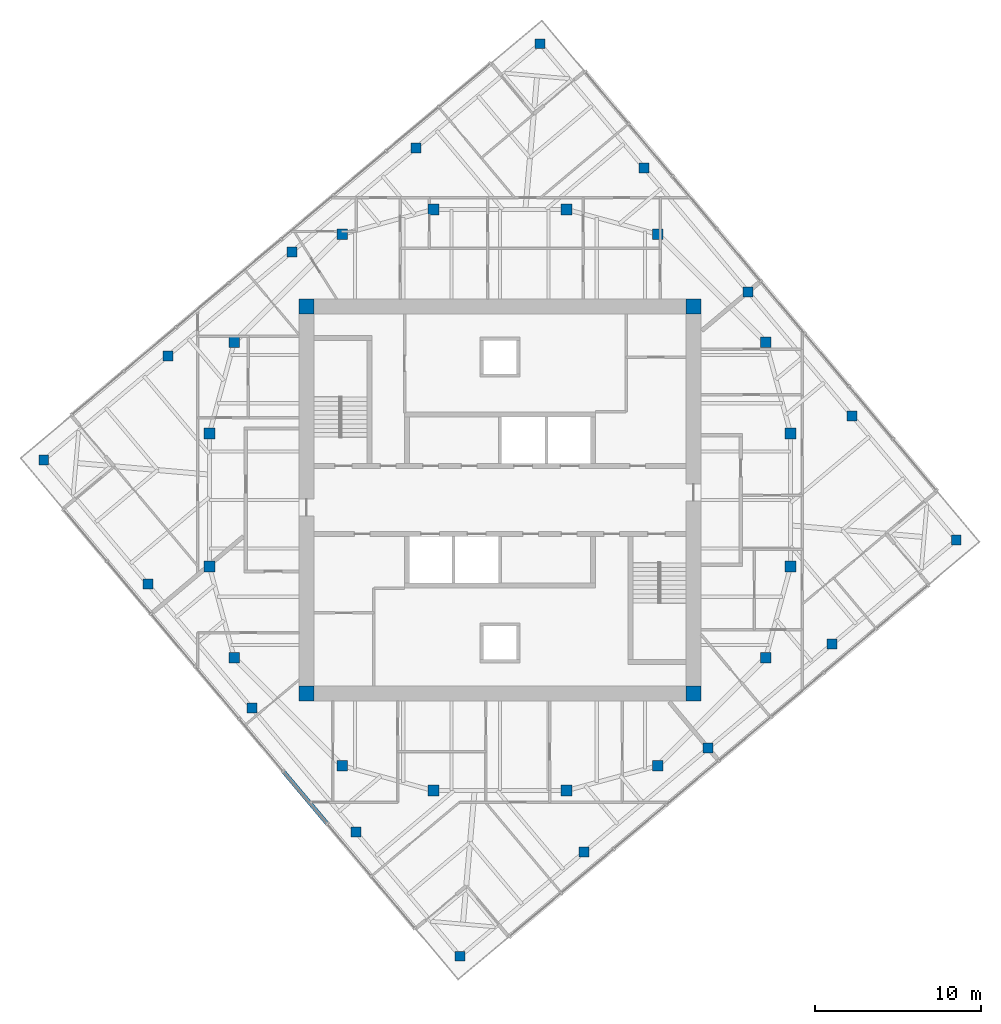
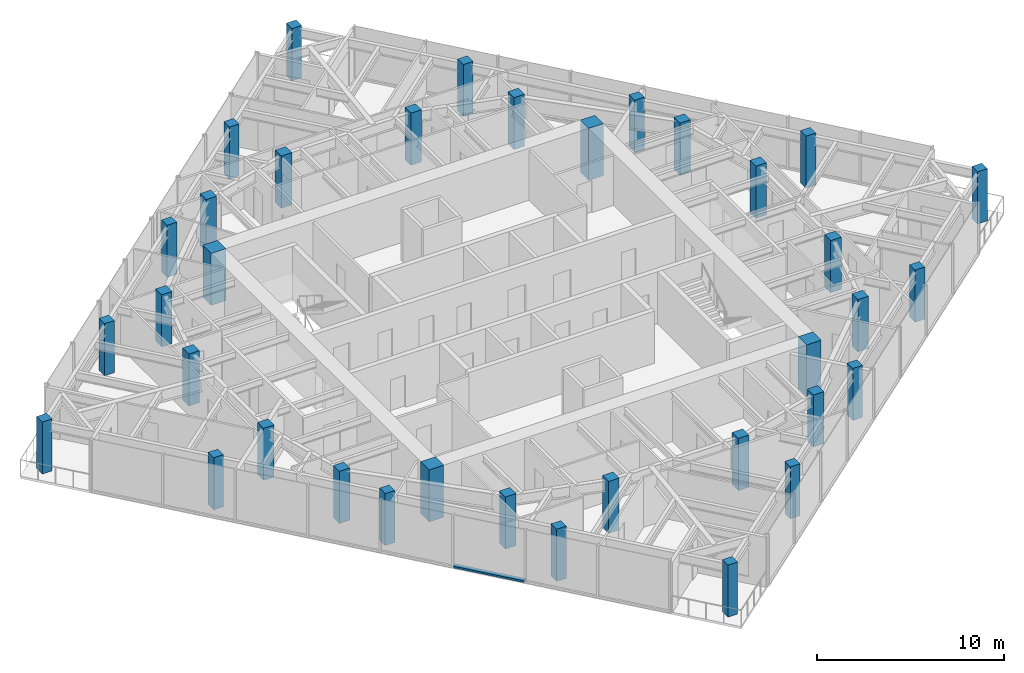
# One storey, part 1 of 12: 36 columns, 1 member, 1 element without a shape of its own.
"""IFC4 building model written with IfcOpenShell, lengths in metres."""

from ifc_helpers import new_model, si_unit, direction, frame, origin, origin_2d, place, context, subcontext, project, spatial, rectangle, extrude, material, material_profile, profile_set, type_object, element, aggregate, save


model = new_model("IFC4")

# Units and contexts
model_context = context("Model", 3, precision=1e-05, world=origin(), true_north=direction((0.0, 1.0)))
body_context = subcontext(model_context, "Body", "Model", "MODEL_VIEW")
ifc_project = project(units=[si_unit("LENGTHUNIT", "METRE"), si_unit("AREAUNIT", "SQUARE_METRE"), si_unit("VOLUMEUNIT", "CUBIC_METRE"), si_unit("PLANEANGLEUNIT", "RADIAN"), si_unit("MASSUNIT", "GRAM", prefix="KILO")], contexts=[model_context])

# Site, building, storey
site_placement = place(None, origin())
site = spatial("IfcSite", under=ifc_project, at=site_placement, CompositionType="ELEMENT")
building_placement = place(site_placement, origin())
building = spatial("IfcBuilding", under=site, at=building_placement, Name="Torsade Residences", CompositionType="ELEMENT")
storey_placement = place(building_placement, frame((0.0, 0.0, 293.0)))
storey = spatial("IfcBuildingStorey", under=building, at=storey_placement, Name="L81", CompositionType="ELEMENT", Elevation=293.0)

# Columns
ifc_material_1 = material(Name="Concrete 80 MPa", Category="concrete")
ifc_material_profile_1 = material_profile(ifc_material_1, rectangle(XDim=0.89990234375, YDim=0.89990234375, at=origin_2d()), Name="RC 900x900")
ifc_profile_set_1 = profile_set([ifc_material_profile_1], Name="Concrete 80 MPa")
column_type_1 = type_object("IfcColumnType", Name="CORE CORNER COLUMN RC 900x900", PredefinedType="COLUMN", material=ifc_profile_set_1)
for number, where, z_axis, x_axis, name in (
    (1, (28.35009765625, 18.35009765625, 0.0), (0.0, 0.0, 1.0), (1.0, 0.0, 0.0), "Core corner column CC1 L81"),
    (2, (51.64990234375, 18.35009765625, 0.0), (0.0, 0.0, 1.0), (1.0, 0.0, 0.0), "Core corner column CC2 L81"),
    (3, (51.64990234375, 41.64990234375, 0.0), (0.0, 0.0, 1.0), (1.0, 0.0, 0.0), "Core corner column CC3 L81"),
    (4, (28.35009765625, 41.64990234375, 0.0), (0.0, 0.0, 1.0), (1.0, 0.0, 0.0), "Core corner column CC4 L81"),
):
    element("IfcColumn", number, at=place(storey_placement, frame(where, z_axis=z_axis, x_axis=x_axis)), inside=storey, type_object=column_type_1, Name=name, PredefinedType="COLUMN", context=body_context, shape_type="SweptSolid", body=[
        extrude(rectangle(XDim=0.89990234375, YDim=0.89990234375, at=origin_2d()), origin(), (0.0, 0.0, 1.0), 3.39990234375),
    ])
ifc_material_2 = material(Name="Concrete 80 MPa", Category="concrete")
ifc_material_profile_2 = material_profile(ifc_material_2, rectangle(XDim=0.64990234375, YDim=0.64990234375, at=origin_2d()), Name="RC 650x650")
ifc_profile_set_2 = profile_set([ifc_material_profile_2], Name="Concrete 80 MPa")
column_type_2 = type_object("IfcColumnType", Name="INNER RING COLUMN RC 650x650", PredefinedType="COLUMN", material=ifc_profile_set_2)
for number, where, z_axis, x_axis, name in (
    (5, (57.5, 26.0, 0.0), (0.0, 0.0, 1.0), (1.0, 0.0, 0.0), "Inner ring column IR01 L81"),
    (6, (57.5, 34.0, 0.0), (0.0, 0.0, 1.0), (1.0, 0.0, 0.0), "Inner ring column IR02 L81"),
    (7, (56.0, 39.5, 0.0), (0.0, 0.0, 1.0), (1.0, 0.0, 0.0), "Inner ring column IR03 L81"),
    (8, (49.5, 46.0, 0.0), (0.0, 0.0, 1.0), (1.0, 0.0, 0.0), "Inner ring column IR04 L81"),
    (9, (44.0, 47.5, 0.0), (0.0, 0.0, 1.0), (1.0, 0.0, 0.0), "Inner ring column IR05 L81"),
    (10, (36.0, 47.5, 0.0), (0.0, 0.0, 1.0), (1.0, 0.0, 0.0), "Inner ring column IR06 L81"),
    (11, (30.5, 46.0, 0.0), (0.0, 0.0, 1.0), (1.0, 0.0, 0.0), "Inner ring column IR07 L81"),
    (12, (24.0, 39.5, 0.0), (0.0, 0.0, 1.0), (1.0, 0.0, 0.0), "Inner ring column IR08 L81"),
    (13, (22.5, 34.0, 0.0), (0.0, 0.0, 1.0), (1.0, 0.0, 0.0), "Inner ring column IR09 L81"),
    (14, (22.5, 26.0, 0.0), (0.0, 0.0, 1.0), (1.0, 0.0, 0.0), "Inner ring column IR10 L81"),
    (15, (24.0, 20.5, 0.0), (0.0, 0.0, 1.0), (1.0, 0.0, 0.0), "Inner ring column IR11 L81"),
    (16, (30.5, 14.0, 0.0), (0.0, 0.0, 1.0), (1.0, 0.0, 0.0), "Inner ring column IR12 L81"),
    (17, (36.0, 12.5, 0.0), (0.0, 0.0, 1.0), (1.0, 0.0, 0.0), "Inner ring column IR13 L81"),
    (18, (44.0, 12.5, 0.0), (0.0, 0.0, 1.0), (1.0, 0.0, 0.0), "Inner ring column IR14 L81"),
    (19, (49.5, 14.0, 0.0), (0.0, 0.0, 1.0), (1.0, 0.0, 0.0), "Inner ring column IR15 L81"),
    (20, (56.0, 20.5, 0.0), (0.0, 0.0, 1.0), (1.0, 0.0, 0.0), "Inner ring column IR16 L81"),
):
    element("IfcColumn", number, at=place(storey_placement, frame(where, z_axis=z_axis, x_axis=x_axis)), inside=storey, type_object=column_type_2, Name=name, PredefinedType="COLUMN", context=body_context, shape_type="SweptSolid", body=[
        extrude(rectangle(XDim=0.64990234375, YDim=0.64990234375, at=origin_2d()), origin(), (0.0, 0.0, 1.0), 3.39990234375),
    ])
ifc_material_3 = material(Name="Concrete 80 MPa", Category="concrete")
ifc_material_profile_3 = material_profile(ifc_material_3, rectangle(XDim=0.60009765625, YDim=0.60009765625, at=origin_2d()), Name="RC 600x600")
ifc_profile_set_3 = profile_set([ifc_material_profile_3], Name="Concrete 80 MPa")
column_type_3 = type_object("IfcColumnType", Name="TOWER COLUMN RC 600x600", PredefinedType="COLUMN", material=ifc_profile_set_3)
for number, where, z_axis, x_axis, name in (
    (21, (37.596435546875, 2.52783203125, 0.0), (0.0, 0.0, 1.0), (1.0, 0.0, 0.0), "Column TC9-01 L81"),
    (22, (45.0654296875, 8.794921875, 0.0), (0.0, 0.0, 1.0), (1.0, 0.0, 0.0), "Column TC9-02 L81"),
    (23, (52.534423828125, 15.06201171875, 0.0), (0.0, 0.0, 1.0), (1.0, 0.0, 0.0), "Column TC9-03 L81"),
    (24, (60.003173828125, 21.329345703125, 0.0), (0.0, 0.0, 1.0), (1.0, 0.0, 0.0), "Column TC9-04 L81"),
    (25, (67.47216796875, 27.596435546875, 0.0), (0.0, 0.0, 1.0), (1.0, 0.0, 0.0), "Column TC9-05 L81"),
    (26, (61.205078125, 35.0654296875, 0.0), (0.0, 0.0, 1.0), (1.0, 0.0, 0.0), "Column TC9-06 L81"),
    (27, (54.93798828125, 42.534423828125, 0.0), (0.0, 0.0, 1.0), (1.0, 0.0, 0.0), "Column TC9-07 L81"),
    (28, (48.670654296875, 50.003173828125, 0.0), (0.0, 0.0, 1.0), (1.0, 0.0, 0.0), "Column TC9-08 L81"),
    (29, (42.403564453125, 57.47216796875, 0.0), (0.0, 0.0, 1.0), (1.0, 0.0, 0.0), "Column TC9-09 L81"),
    (30, (34.9345703125, 51.205078125, 0.0), (0.0, 0.0, 1.0), (1.0, 0.0, 0.0), "Column TC9-10 L81"),
    (31, (27.465576171875, 44.93798828125, 0.0), (0.0, 0.0, 1.0), (1.0, 0.0, 0.0), "Column TC9-11 L81"),
    (32, (19.996826171875, 38.670654296875, 0.0), (0.0, 0.0, 1.0), (1.0, 0.0, 0.0), "Column TC9-12 L81"),
    (33, (12.52783203125, 32.403564453125, 0.0), (0.0, 0.0, 1.0), (1.0, 0.0, 0.0), "Column TC9-13 L81"),
    (34, (18.794921875, 24.9345703125, 0.0), (0.0, 0.0, 1.0), (1.0, 0.0, 0.0), "Column TC9-14 L81"),
    (35, (25.06201171875, 17.465576171875, 0.0), (0.0, 0.0, 1.0), (1.0, 0.0, 0.0), "Column TC9-15 L81"),
    (36, (31.329345703125, 9.996826171875, 0.0), (0.0, 0.0, 1.0), (1.0, 0.0, 0.0), "Column TC9-16 L81"),
):
    element("IfcColumn", number, at=place(storey_placement, frame(where, z_axis=z_axis, x_axis=x_axis)), inside=storey, type_object=column_type_3, Name=name, PredefinedType="COLUMN", context=body_context, shape_type="SweptSolid", body=[
        extrude(rectangle(XDim=0.60009765625, YDim=0.60009765625, at=origin_2d()), origin(), (0.0, 0.0, 1.0), 3.39990234375),
    ])

# Curtain wall, member
ifc_material_4 = material(Name="Aluminium and glass", Category="aluminium")
curtain_wall_type = type_object("IfcCurtainWallType", Name="FRITTED GLASS CURTAIN WALL HIGH ZONE", PredefinedType="NOTDEFINED", material=ifc_material_4)
curtain_wall_placement = place(storey_placement, origin())
curtain_wall = element("IfcCurtainWall", 37, at=curtain_wall_placement, inside=storey, type_object=curtain_wall_type, Name="Curtain wall L81 face 10", PredefinedType="NOTDEFINED")
ifc_material_5 = material(Name="Aluminium transom", Category="aluminium")
ifc_material_profile_4 = material_profile(ifc_material_5, rectangle(XDim=0.25, YDim=0.1201171875, at=origin_2d()), Name="HIGH ZONE CURTAIN WALL TRANSOM 250x120")
ifc_profile_set_4 = profile_set([ifc_material_profile_4], Name="Aluminium transom")
member_type = type_object("IfcMemberType", Name="HIGH ZONE CURTAIN WALL TRANSOM 250x120", PredefinedType="USERDEFINED", material=ifc_profile_set_4)
member_placement = place(storey_placement, frame((26.979736328125, 13.62451171875, 0.06005859375), z_axis=(0.642787992616, -0.766044121803, 0.0), x_axis=(0.766044121803, 0.642787992616, 0.0)))
member = element("IfcMember", 38, at=member_placement, type_object=member_type, Name="Transom 6.1", ObjectType="TRANSOM", PredefinedType="USERDEFINED", context=body_context, shape_type="SweptSolid", body=[
    extrude(rectangle(XDim=0.25, YDim=0.1201171875, at=origin_2d()), origin(), (0.0, 0.0, 1.0), 4.02490234375),
])
aggregate(curtain_wall, [member])

save(model, "model.ifc")
